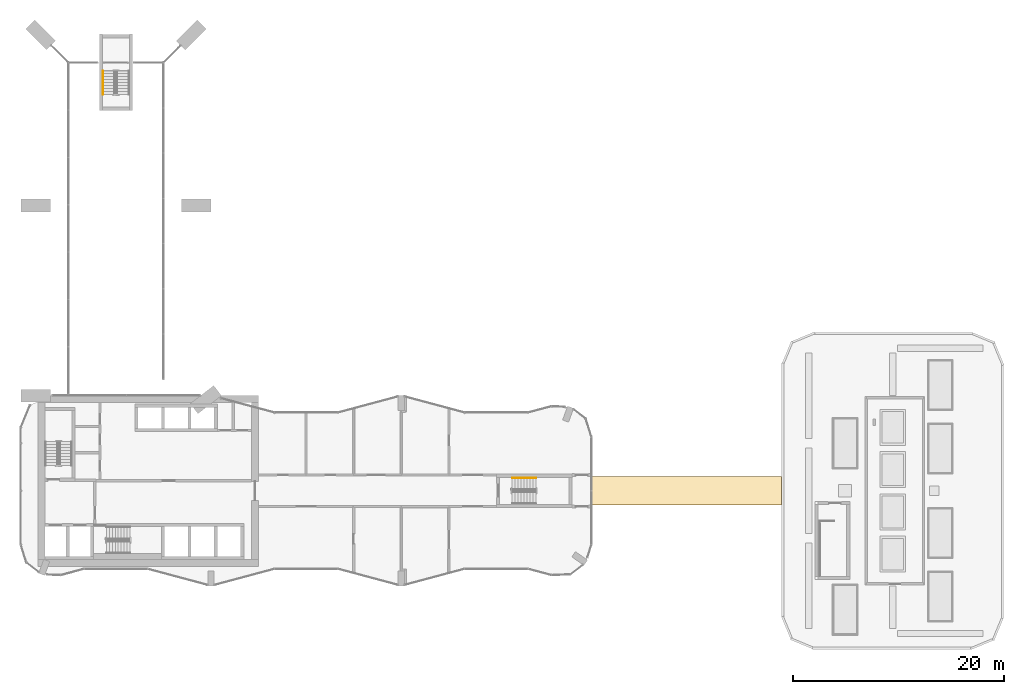
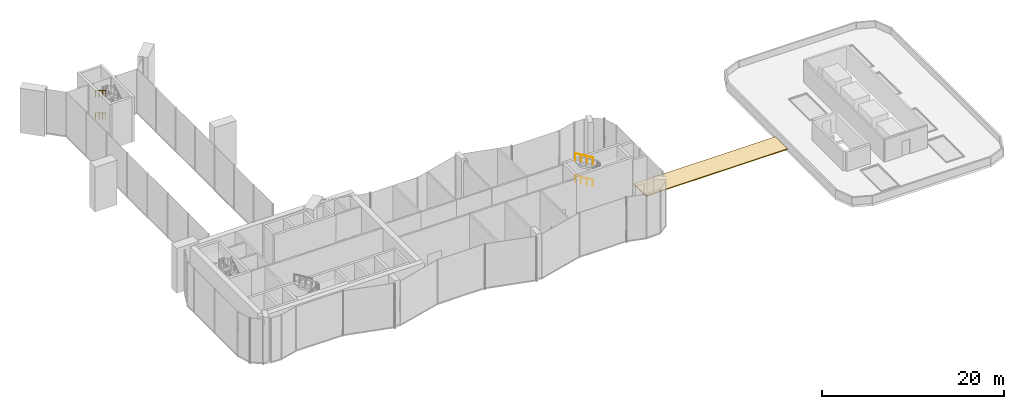
# One storey, part 16 of 19: 4 railings, 1 covering.
"""IFC4 building model written with IfcOpenShell, lengths in metres."""

from ifc_helpers import new_model, si_unit, direction, frame, origin, origin_2d, place, context, subcontext, project, spatial, polyline, circle, outline, extrude, material, layer, layer_set, type_object, element, save


model = new_model("IFC4")

# Units and contexts
model_context = context("Model", 3, precision=1e-05, world=origin(), true_north=direction((0.0, 1.0)))
body_context = subcontext(model_context, "Body", "Model", "MODEL_VIEW")
ifc_project = project(units=[si_unit("LENGTHUNIT", "METRE"), si_unit("AREAUNIT", "SQUARE_METRE"), si_unit("VOLUMEUNIT", "CUBIC_METRE"), si_unit("PLANEANGLEUNIT", "RADIAN"), si_unit("MASSUNIT", "GRAM", prefix="KILO")], contexts=[model_context])

# Site, building, storey
site_placement = place(None, origin())
site = spatial("IfcSite", under=ifc_project, at=site_placement, CompositionType="ELEMENT")
building_placement = place(site_placement, origin())
building = spatial("IfcBuilding", under=site, at=building_placement, Name="Plateau Cross Towers", CompositionType="ELEMENT")
storey_placement = place(building_placement, frame((0.0, 0.0, 128.60009765625)))
storey = spatial("IfcBuildingStorey", under=building, at=storey_placement, Name="L33", CompositionType="ELEMENT", Elevation=128.60009765625)

# Railings
ifc_material_1 = material(Name="Black anodised aluminium", Category="aluminium")
railing_type = type_object("IfcRailingType", Name="RL-HANDRAIL-900", PredefinedType="HANDRAIL", material=ifc_material_1)
for number, where, name in (
    (1, (48.739990234375, 10.22509765625, 1.66650390625), "L33 ES-E stair handrail 2"),
    (2, (48.739990234375, 10.22509765625, 4.66650390625), "L33 ES-E stair handrail 4"),
):
    element("IfcRailing", number, at=place(storey_placement, frame(where)), inside=storey, type_object=railing_type, Name=name, PredefinedType="HANDRAIL", context=body_context, shape_type="SweptSolid", body=[
        extrude(circle(Radius=0.02392578125, at=origin_2d()), frame((0.0, 0.0, 0.8759765625), z_axis=(-0.859264461869, 0.0, 0.511531606619), x_axis=(0.0, -1.0, 0.0)), (0.0, 0.0, 1.0), 2.60693359375),
        extrude(circle(Radius=0.02099609375, at=origin_2d()), origin(), (0.0, 0.0, 1.0), 0.851806640625),
        extrude(circle(Radius=0.02099609375, at=origin_2d()), frame((-0.74658203125, 0.0, 0.444580078125)), (0.0, 0.0, 1.0), 0.851806640625),
        extrude(circle(Radius=0.02099609375, at=origin_2d()), frame((-1.493408203125, 0.0, 0.888916015625)), (0.0, 0.0, 1.0), 0.851806640625),
        extrude(circle(Radius=0.02099609375, at=origin_2d()), frame((-2.239990234375, 0.0, 1.33349609375)), (0.0, 0.0, 1.0), 0.851806640625),
    ])
for number, where, name in (
    (3, (7.77490234375, 48.739990234375, 1.66650390625), "L33 ES-N stair handrail 2"),
    (4, (7.77490234375, 48.739990234375, 4.66650390625), "L33 ES-N stair handrail 4"),
):
    element("IfcRailing", number, at=place(storey_placement, frame(where)), inside=storey, type_object=railing_type, Name=name, PredefinedType="HANDRAIL", context=body_context, shape_type="SweptSolid", body=[
        extrude(circle(Radius=0.02392578125, at=origin_2d()), frame((0.0, 0.0, 0.8759765625), z_axis=(0.0, -0.859264461869, 0.511531606619), x_axis=(1.0, 0.0, 0.0)), (0.0, 0.0, 1.0), 2.60693359375),
        extrude(circle(Radius=0.02099609375, at=origin_2d()), origin(), (0.0, 0.0, 1.0), 0.851806640625),
        extrude(circle(Radius=0.02099609375, at=origin_2d()), frame((0.0, -0.74658203125, 0.444580078125)), (0.0, 0.0, 1.0), 0.851806640625),
        extrude(circle(Radius=0.02099609375, at=origin_2d()), frame((0.0, -1.493408203125, 0.888916015625)), (0.0, 0.0, 1.0), 0.851806640625),
        extrude(circle(Radius=0.02099609375, at=origin_2d()), frame((0.0, -2.239990234375, 1.33349609375)), (0.0, 0.0, 1.0), 0.851806640625),
    ])

# Covering
ifc_material_2 = material(Name="Bituminous roofing membrane")
ifc_layer = layer(ifc_material_2, 0.1201171875)
ifc_layer_set = layer_set([ifc_layer], Name="Bituminous roofing membrane")
covering_type = type_object("IfcCoveringType", Name="Roof membrane build-up 120", PredefinedType="ROOFING", material=ifc_layer_set)
covering_placement = place(storey_placement, origin())
element("IfcCovering", 5, at=covering_placement, inside=storey, type_object=covering_type, Name="Sky garden bridge roof covering", PredefinedType="ROOFING", context=body_context, shape_type="SweptSolid", body=[
    extrude(outline(polyline([(54.0, 7.659912109375), (72.0, 7.659912109375), (72.0, 10.340087890625), (54.0, 10.340087890625), (54.0, 7.659912109375)])), origin(), (0.0, 0.0, 1.0), 0.119873046875),
])

save(model, "model.ifc")
